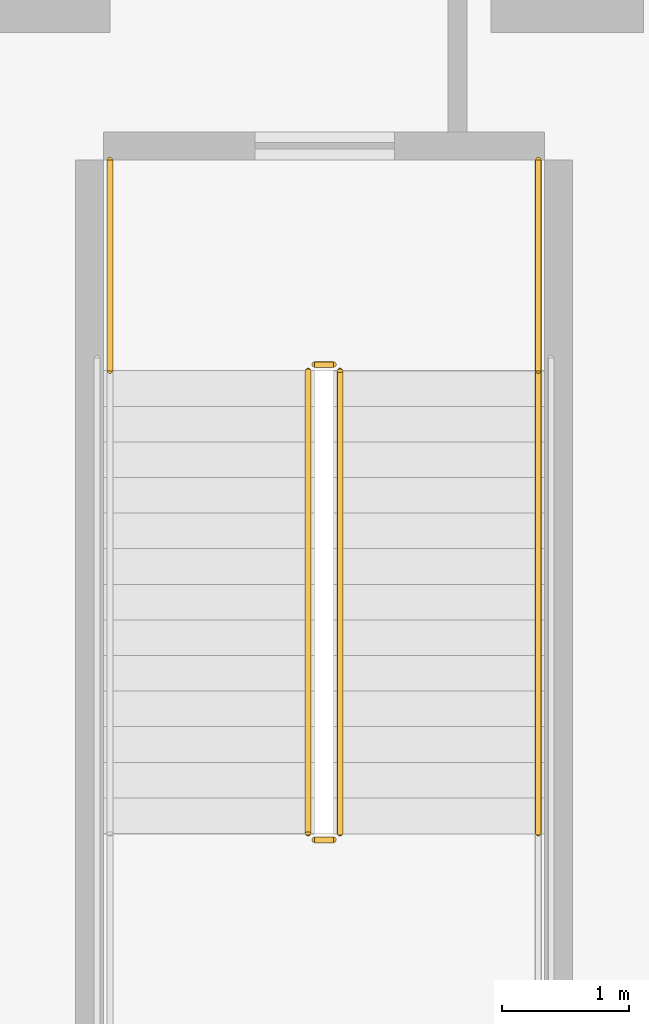
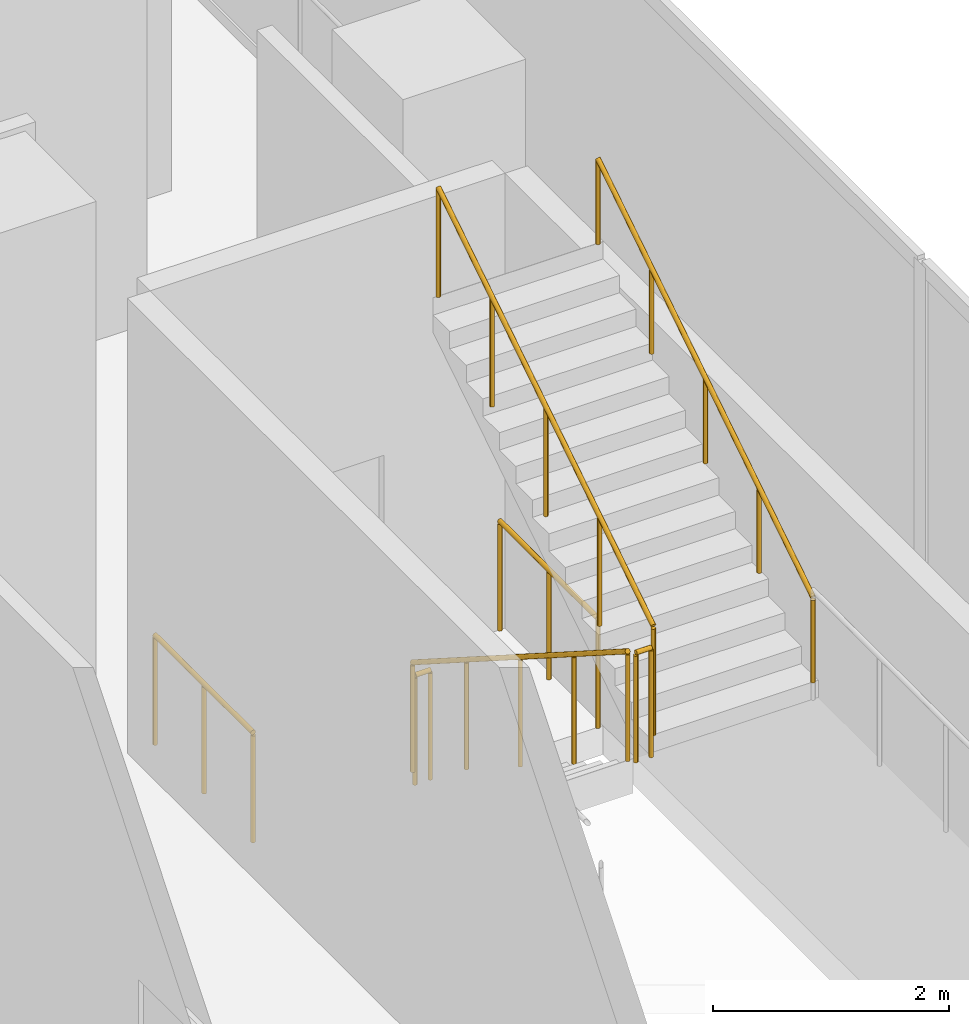
# One storey, part 31 of 31: 7 railings.
"""IFC4 building model written with IfcOpenShell, lengths in metres."""

from ifc_helpers import new_model, si_unit, direction, frame, origin, origin_2d, place, context, subcontext, project, spatial, circle, extrude, material, type_object, element, save


model = new_model("IFC4")

# Units and contexts
model_context = context("Model", 3, precision=1e-05, world=origin(), true_north=direction((0.0, 1.0)))
body_context = subcontext(model_context, "Body", "Model", "MODEL_VIEW")
ifc_project = project(units=[si_unit("LENGTHUNIT", "METRE"), si_unit("AREAUNIT", "SQUARE_METRE"), si_unit("VOLUMEUNIT", "CUBIC_METRE"), si_unit("PLANEANGLEUNIT", "RADIAN"), si_unit("MASSUNIT", "GRAM", prefix="KILO")], contexts=[model_context])

# Site, building, storey
site_placement = place(None, origin())
site = spatial("IfcSite", under=ifc_project, at=site_placement, CompositionType="ELEMENT")
building_placement = place(site_placement, origin())
building = spatial("IfcBuilding", under=site, at=building_placement, Name="Khairoan Windgate Tower", CompositionType="ELEMENT")
storey_placement = place(building_placement, frame((0.0, 0.0, 6.0)))
storey = spatial("IfcBuildingStorey", under=building, at=storey_placement, Name="L02", CompositionType="ELEMENT", Elevation=6.0)

# Railings
ifc_material_1 = material(Name="Anodised Bronze Aluminium 6063-T6", Category="aluminium")
railing_type_1 = type_object("IfcRailingType", Name="Stair Wall Handrail SHR-900", PredefinedType="HANDRAIL", material=ifc_material_1)
railing_1_placement = place(storey_placement, frame((33.969970703125, -15.300048828125, 2.678466796875)))
element("IfcRailing", 1, at=railing_1_placement, inside=storey, type_object=railing_type_1, Name="L02 ST3 stair handrail 2", PredefinedType="HANDRAIL", context=body_context, shape_type="SweptSolid", body=[
    extrude(circle(Radius=0.02392578125, at=origin_2d()), frame((0.0, 0.0, 0.8759765625), z_axis=(0.0, 0.843127859045, 0.537713132908), x_axis=(-1.0, 0.0, 0.0)), (0.0, 0.0, 1.0), 4.3173828125),
    extrude(circle(Radius=0.02099609375, at=origin_2d()), origin(), (0.0, 0.0, 1.0), 0.851806640625),
    extrude(circle(Radius=0.02099609375, at=origin_2d()), frame((0.0, 0.91015625, 0.580322265625)), (0.0, 0.0, 1.0), 0.851806640625),
    extrude(circle(Radius=0.02099609375, at=origin_2d()), frame((0.0, 1.820068359375, 1.16064453125)), (0.0, 0.0, 1.0), 0.851806640625),
    extrude(circle(Radius=0.02099609375, at=origin_2d()), frame((0.0, 2.72998046875, 1.7412109375)), (0.0, 0.0, 1.0), 0.851806640625),
    extrude(circle(Radius=0.02099609375, at=origin_2d()), frame((0.0, 3.64013671875, 2.321533203125)), (0.0, 0.0, 1.0), 0.851806640625),
])
ifc_material_2 = material(Name="Steel S355", Category="steel")
railing_type_2 = type_object("IfcRailingType", Name="Stairwell Safety Guardrail SGR-1150", PredefinedType="GUARDRAIL", material=ifc_material_2)
railing_2_placement = place(storey_placement, frame((32.159912109375, -11.659912109375, 0.178466796875)))
element("IfcRailing", 2, at=railing_2_placement, inside=storey, type_object=railing_type_2, Name="L02 ST3 stair guard 1", PredefinedType="GUARDRAIL", context=body_context, shape_type="SweptSolid", body=[
    extrude(circle(Radius=0.02392578125, at=origin_2d()), frame((0.0, 0.0, 1.1259765625), z_axis=(0.0, -0.843127859045, 0.537713132908), x_axis=(1.0, 0.0, 0.0)), (0.0, 0.0, 1.0), 4.3173828125),
    extrude(circle(Radius=0.02099609375, at=origin_2d()), origin(), (0.0, 0.0, 1.0), 1.101806640625),
    extrude(circle(Radius=0.02099609375, at=origin_2d()), frame((0.0, -0.91015625, 0.580322265625)), (0.0, 0.0, 1.0), 1.101806640625),
    extrude(circle(Radius=0.02099609375, at=origin_2d()), frame((0.0, -1.820068359375, 1.16064453125)), (0.0, 0.0, 1.0), 1.101806640625),
    extrude(circle(Radius=0.02099609375, at=origin_2d()), frame((0.0, -2.72998046875, 1.7412109375)), (0.0, 0.0, 1.0), 1.101806640625),
    extrude(circle(Radius=0.02099609375, at=origin_2d()), frame((0.0, -3.64013671875, 2.321533203125)), (0.0, 0.0, 1.0), 1.101806640625),
])
railing_3_placement = place(storey_placement, frame((32.2099609375, -15.35009765625, 2.5)))
element("IfcRailing", 3, at=railing_3_placement, inside=storey, type_object=railing_type_2, Name="L02 ST3 stair guard 2", PredefinedType="GUARDRAIL", context=body_context, shape_type="SweptSolid", body=[
    extrude(circle(Radius=0.02392578125, at=origin_2d()), frame((0.0, 0.0, 1.1259765625), z_axis=(1.0, 0.0, 0.0), x_axis=(0.0, 1.0, 0.0)), (0.0, 0.0, 1.0), 0.150146484375),
    extrude(circle(Radius=0.02099609375, at=origin_2d()), origin(), (0.0, 0.0, 1.0), 1.101806640625),
    extrude(circle(Radius=0.02099609375, at=origin_2d()), frame((0.150146484375, 0.0, 0.0)), (0.0, 0.0, 1.0), 1.101806640625),
])
railing_4_placement = place(storey_placement, frame((32.409912109375, -15.300048828125, 2.678466796875)))
element("IfcRailing", 4, at=railing_4_placement, inside=storey, type_object=railing_type_2, Name="L02 ST3 stair guard 6", PredefinedType="GUARDRAIL", context=body_context, shape_type="SweptSolid", body=[
    extrude(circle(Radius=0.02392578125, at=origin_2d()), frame((0.0, 0.0, 1.1259765625), z_axis=(0.0, 0.843127859045, 0.537713132908), x_axis=(-1.0, 0.0, 0.0)), (0.0, 0.0, 1.0), 4.3173828125),
    extrude(circle(Radius=0.02099609375, at=origin_2d()), origin(), (0.0, 0.0, 1.0), 1.101806640625),
    extrude(circle(Radius=0.02099609375, at=origin_2d()), frame((0.0, 0.91015625, 0.580322265625)), (0.0, 0.0, 1.0), 1.101806640625),
    extrude(circle(Radius=0.02099609375, at=origin_2d()), frame((0.0, 1.820068359375, 1.16064453125)), (0.0, 0.0, 1.0), 1.101806640625),
    extrude(circle(Radius=0.02099609375, at=origin_2d()), frame((0.0, 2.72998046875, 1.7412109375)), (0.0, 0.0, 1.0), 1.101806640625),
    extrude(circle(Radius=0.02099609375, at=origin_2d()), frame((0.0, 3.64013671875, 2.321533203125)), (0.0, 0.0, 1.0), 1.101806640625),
])
railing_5_placement = place(storey_placement, frame((32.2099609375, -11.610107421875, 0.0)))
element("IfcRailing", 5, at=railing_5_placement, inside=storey, type_object=railing_type_2, Name="L02 ST3 stair guard 7", PredefinedType="GUARDRAIL", context=body_context, shape_type="SweptSolid", body=[
    extrude(circle(Radius=0.02392578125, at=origin_2d()), frame((0.0, 0.0, 1.1259765625), z_axis=(1.0, 0.0, 0.0), x_axis=(0.0, 1.0, 0.0)), (0.0, 0.0, 1.0), 0.150146484375),
    extrude(circle(Radius=0.02099609375, at=origin_2d()), origin(), (0.0, 0.0, 1.0), 1.101806640625),
    extrude(circle(Radius=0.02099609375, at=origin_2d()), frame((0.150146484375, 0.0, 0.0)), (0.0, 0.0, 1.0), 1.101806640625),
])
for number, where, name in (
    (6, (30.60009765625, -10.0, 0.0), "L02 ST3 stair guard 8"),
    (7, (33.969970703125, -10.0, 0.0), "L02 ST3 stair guard 9"),
):
    element("IfcRailing", number, at=place(storey_placement, frame(where)), inside=storey, type_object=railing_type_2, Name=name, PredefinedType="GUARDRAIL", context=body_context, shape_type="SweptSolid", body=[
        extrude(circle(Radius=0.02392578125, at=origin_2d()), frame((0.0, 0.0, 1.1259765625), z_axis=(0.0, -1.0, 0.0), x_axis=(1.0, 0.0, 0.0)), (0.0, 0.0, 1.0), 1.659912109375),
        extrude(circle(Radius=0.02099609375, at=origin_2d()), origin(), (0.0, 0.0, 1.0), 1.101806640625),
        extrude(circle(Radius=0.02099609375, at=origin_2d()), frame((0.0, -0.830078125, 0.0)), (0.0, 0.0, 1.0), 1.101806640625),
        extrude(circle(Radius=0.02099609375, at=origin_2d()), frame((0.0, -1.659912109375, 0.0)), (0.0, 0.0, 1.0), 1.101806640625),
    ])

save(model, "model.ifc")
